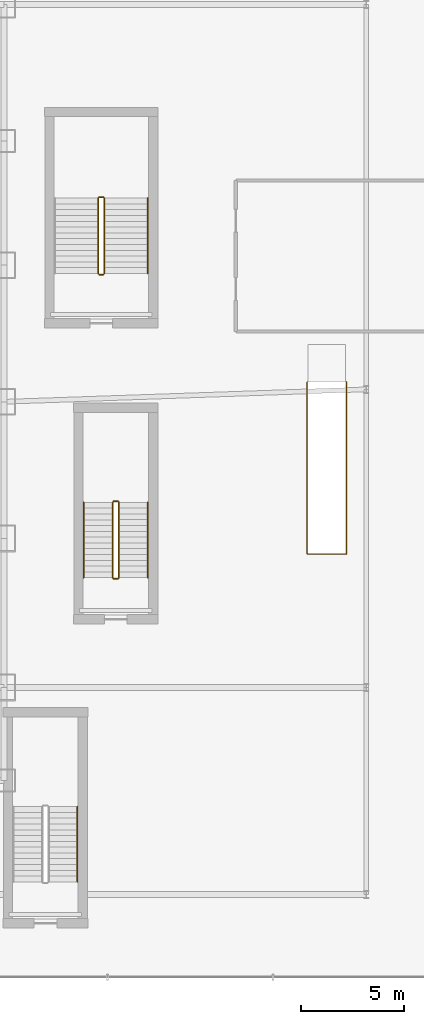
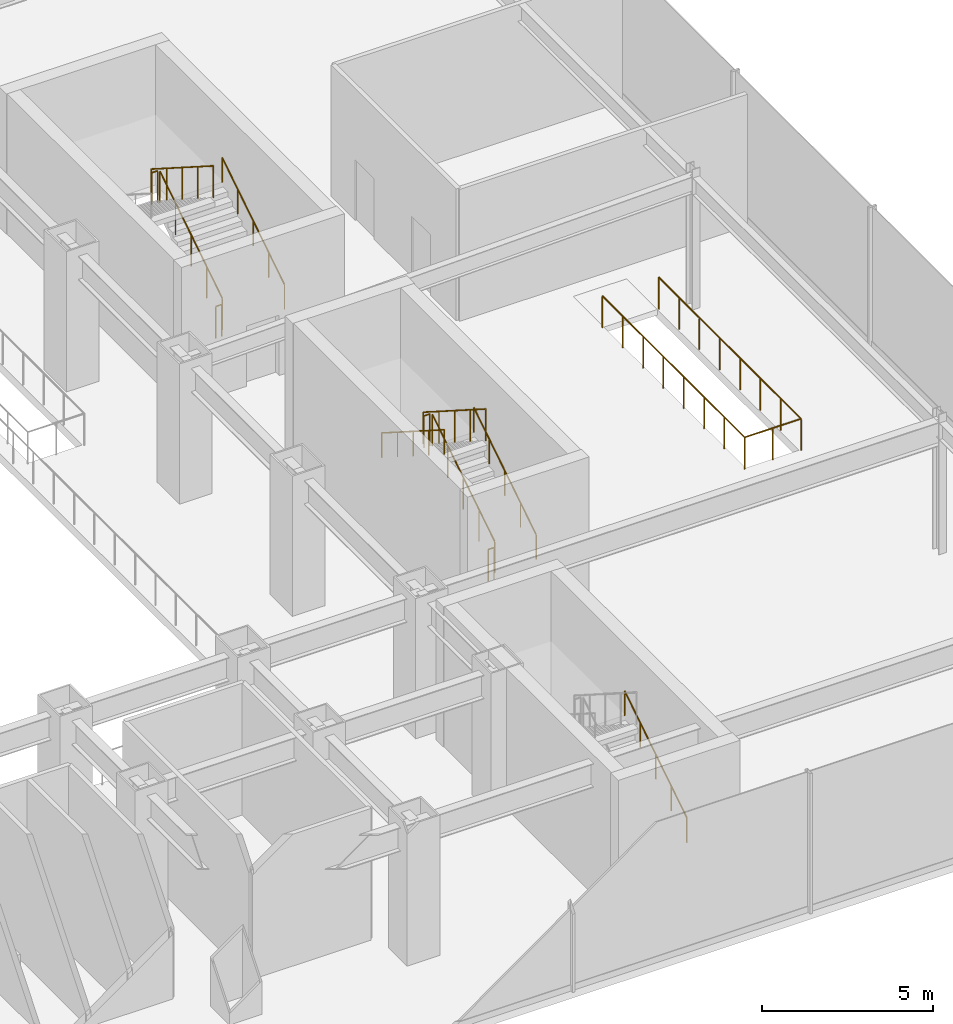
# One storey, part 38 of 39: 13 railings.
"""IFC4 building model written with IfcOpenShell, lengths in metres."""

from ifc_helpers import new_model, si_unit, derived_unit, direction, frame, origin, origin_2d, place, context, subcontext, project, spatial, circle, extrude, material, type_object, element, save


model = new_model("IFC4")

# Units and contexts
model_context = context("Model", 3, precision=1e-05, world=origin(), true_north=direction((0.0, 1.0)))
body_context = subcontext(model_context, "Body", "Model", "MODEL_VIEW")
ifc_project = project(units=[si_unit("LENGTHUNIT", "METRE"), si_unit("AREAUNIT", "SQUARE_METRE"), si_unit("VOLUMEUNIT", "CUBIC_METRE"), si_unit("PLANEANGLEUNIT", "RADIAN"), si_unit("MASSUNIT", "GRAM", prefix="KILO"), derived_unit("THERMALTRANSMITTANCEUNIT", [(si_unit("POWERUNIT", "WATT"), 1), (si_unit("LENGTHUNIT", "METRE"), -2), (si_unit("THERMODYNAMICTEMPERATUREUNIT", "KELVIN"), -1)])], contexts=[model_context])

# Site, building, storey
site_placement = place(None, origin())
site = spatial("IfcSite", under=ifc_project, at=site_placement, CompositionType="ELEMENT")
building_placement = place(site_placement, origin())
building = spatial("IfcBuilding", under=site, at=building_placement, Name="Skarnbrae Concourse Arena and Tower", CompositionType="ELEMENT")
storey_placement = place(building_placement, frame((0.0, 0.0, 11.0)))
storey = spatial("IfcBuildingStorey", under=building, at=storey_placement, Name="L02", CompositionType="ELEMENT", Elevation=11.0)

# Railings
ifc_material = material(Name="Steel CSA G40.21 350W", Category="steel")
railing_type_1 = type_object("IfcRailingType", Name="RAIL-HANDRAIL-900", PredefinedType="HANDRAIL", material=ifc_material)
for number, where, name in (
    (1, (64.550048828125, 4.60009765625, 0.178466796875), "L02 ST-A1 stair handrail 1"),
    (2, (67.949951171875, 19.300048828125, 0.178466796875), "L02 ST-A2 stair handrail 1"),
):
    element("IfcRailing", number, at=place(storey_placement, frame(where)), inside=storey, type_object=railing_type_1, Name=name, PredefinedType="HANDRAIL", context=body_context, shape_type="SweptSolid", body=[
        extrude(circle(Radius=0.02392578125, at=origin_2d()), frame((0.0, 0.0, 0.8759765625), z_axis=(0.0, 0.843111507901, 0.53773877045), x_axis=(-1.0, 0.0, 0.0)), (0.0, 0.0, 1.0), 4.317138671875),
        extrude(circle(Radius=0.02099609375, at=origin_2d()), origin(), (0.0, 0.0, 1.0), 0.851806640625),
        extrude(circle(Radius=0.02099609375, at=origin_2d()), frame((0.0, 0.909912109375, 0.580322265625)), (0.0, 0.0, 1.0), 0.851806640625),
        extrude(circle(Radius=0.02099609375, at=origin_2d()), frame((0.0, 1.81982421875, 1.16064453125)), (0.0, 0.0, 1.0), 0.851806640625),
        extrude(circle(Radius=0.02099609375, at=origin_2d()), frame((0.0, 2.72998046875, 1.7412109375)), (0.0, 0.0, 1.0), 0.851806640625),
        extrude(circle(Radius=0.02099609375, at=origin_2d()), frame((0.0, 3.639892578125, 2.321533203125)), (0.0, 0.0, 1.0), 0.851806640625),
    ])
railing_1_placement = place(storey_placement, frame((64.85009765625, 22.93994140625, 2.678466796875)))
element("IfcRailing", 3, at=railing_1_placement, inside=storey, type_object=railing_type_1, Name="L02 ST-A2 stair handrail 2", PredefinedType="HANDRAIL", context=body_context, shape_type="SweptSolid", body=[
    extrude(circle(Radius=0.02392578125, at=origin_2d()), frame((0.0, 0.0, 0.8759765625), z_axis=(0.0, -0.843111507901, 0.53773877045), x_axis=(1.0, 0.0, 0.0)), (0.0, 0.0, 1.0), 4.317138671875),
    extrude(circle(Radius=0.02099609375, at=origin_2d()), origin(), (0.0, 0.0, 1.0), 0.851806640625),
    extrude(circle(Radius=0.02099609375, at=origin_2d()), frame((0.0, -0.909912109375, 0.580322265625)), (0.0, 0.0, 1.0), 0.851806640625),
    extrude(circle(Radius=0.02099609375, at=origin_2d()), frame((0.0, -1.81982421875, 1.16064453125)), (0.0, 0.0, 1.0), 0.851806640625),
    extrude(circle(Radius=0.02099609375, at=origin_2d()), frame((0.0, -2.72998046875, 1.7412109375)), (0.0, 0.0, 1.0), 0.851806640625),
    extrude(circle(Radius=0.02099609375, at=origin_2d()), frame((0.0, -3.639892578125, 2.321533203125)), (0.0, 0.0, 1.0), 0.851806640625),
])
railing_2_placement = place(storey_placement, frame((67.949951171875, 34.0, 0.178466796875)))
element("IfcRailing", 4, at=railing_2_placement, inside=storey, type_object=railing_type_1, Name="L02 ST-A4 stair handrail 1", PredefinedType="HANDRAIL", context=body_context, shape_type="SweptSolid", body=[
    extrude(circle(Radius=0.02392578125, at=origin_2d()), frame((0.0, 0.0, 0.8759765625), z_axis=(0.0, 0.843111507901, 0.53773877045), x_axis=(-1.0, 0.0, 0.0)), (0.0, 0.0, 1.0), 4.317138671875),
    extrude(circle(Radius=0.02099609375, at=origin_2d()), origin(), (0.0, 0.0, 1.0), 0.851806640625),
    extrude(circle(Radius=0.02099609375, at=origin_2d()), frame((0.0, 0.909912109375, 0.580322265625)), (0.0, 0.0, 1.0), 0.851806640625),
    extrude(circle(Radius=0.02099609375, at=origin_2d()), frame((0.0, 1.81982421875, 1.16064453125)), (0.0, 0.0, 1.0), 0.851806640625),
    extrude(circle(Radius=0.02099609375, at=origin_2d()), frame((0.0, 2.72998046875, 1.7412109375)), (0.0, 0.0, 1.0), 0.851806640625),
    extrude(circle(Radius=0.02099609375, at=origin_2d()), frame((0.0, 3.639892578125, 2.321533203125)), (0.0, 0.0, 1.0), 0.851806640625),
])
railing_type_2 = type_object("IfcRailingType", Name="RAIL-STAIR-GUARD-1150", PredefinedType="GUARDRAIL", material=ifc_material)
railing_3_placement = place(storey_placement, frame((66.550048828125, 19.300048828125, 0.178466796875)))
element("IfcRailing", 5, at=railing_3_placement, inside=storey, type_object=railing_type_2, Name="L02 ST-A2 stair guard 1", PredefinedType="GUARDRAIL", context=body_context, shape_type="SweptSolid", body=[
    extrude(circle(Radius=0.02392578125, at=origin_2d()), frame((0.0, 0.0, 1.1259765625), z_axis=(0.0, 0.843111507901, 0.53773877045), x_axis=(-1.0, 0.0, 0.0)), (0.0, 0.0, 1.0), 4.317138671875),
    extrude(circle(Radius=0.02099609375, at=origin_2d()), origin(), (0.0, 0.0, 1.0), 1.101806640625),
    extrude(circle(Radius=0.02099609375, at=origin_2d()), frame((0.0, 0.909912109375, 0.580322265625)), (0.0, 0.0, 1.0), 1.101806640625),
    extrude(circle(Radius=0.02099609375, at=origin_2d()), frame((0.0, 1.81982421875, 1.16064453125)), (0.0, 0.0, 1.0), 1.101806640625),
    extrude(circle(Radius=0.02099609375, at=origin_2d()), frame((0.0, 2.72998046875, 1.7412109375)), (0.0, 0.0, 1.0), 1.101806640625),
    extrude(circle(Radius=0.02099609375, at=origin_2d()), frame((0.0, 3.639892578125, 2.321533203125)), (0.0, 0.0, 1.0), 1.101806640625),
])
railing_4_placement = place(storey_placement, frame((66.5, 22.989990234375, 2.5)))
element("IfcRailing", 6, at=railing_4_placement, inside=storey, type_object=railing_type_2, Name="L02 ST-A2 stair guard 2", PredefinedType="GUARDRAIL", context=body_context, shape_type="SweptSolid", body=[
    extrude(circle(Radius=0.02392578125, at=origin_2d()), frame((0.0, 0.0, 1.1259765625), z_axis=(-1.0, 0.0, 0.0), x_axis=(0.0, -1.0, 0.0)), (0.0, 0.0, 1.0), 0.199951171875),
    extrude(circle(Radius=0.02099609375, at=origin_2d()), origin(), (0.0, 0.0, 1.0), 1.101806640625),
    extrude(circle(Radius=0.02099609375, at=origin_2d()), frame((-0.199951171875, 0.0, 0.0)), (0.0, 0.0, 1.0), 1.101806640625),
])
railing_5_placement = place(storey_placement, frame((66.25, 22.93994140625, 2.678466796875)))
element("IfcRailing", 7, at=railing_5_placement, inside=storey, type_object=railing_type_2, Name="L02 ST-A2 stair guard 3", PredefinedType="GUARDRAIL", context=body_context, shape_type="SweptSolid", body=[
    extrude(circle(Radius=0.02392578125, at=origin_2d()), frame((0.0, 0.0, 1.1259765625), z_axis=(0.0, -0.843111507901, 0.53773877045), x_axis=(1.0, 0.0, 0.0)), (0.0, 0.0, 1.0), 4.317138671875),
    extrude(circle(Radius=0.02099609375, at=origin_2d()), origin(), (0.0, 0.0, 1.0), 1.101806640625),
    extrude(circle(Radius=0.02099609375, at=origin_2d()), frame((0.0, -0.909912109375, 0.580322265625)), (0.0, 0.0, 1.0), 1.101806640625),
    extrude(circle(Radius=0.02099609375, at=origin_2d()), frame((0.0, -1.81982421875, 1.16064453125)), (0.0, 0.0, 1.0), 1.101806640625),
    extrude(circle(Radius=0.02099609375, at=origin_2d()), frame((0.0, -2.72998046875, 1.7412109375)), (0.0, 0.0, 1.0), 1.101806640625),
    extrude(circle(Radius=0.02099609375, at=origin_2d()), frame((0.0, -3.639892578125, 2.321533203125)), (0.0, 0.0, 1.0), 1.101806640625),
])
railing_6_placement = place(storey_placement, frame((66.5, 19.25, 0.0)))
element("IfcRailing", 8, at=railing_6_placement, inside=storey, type_object=railing_type_2, Name="L02 ST-A2 stair guard 4", PredefinedType="GUARDRAIL", context=body_context, shape_type="SweptSolid", body=[
    extrude(circle(Radius=0.02392578125, at=origin_2d()), frame((0.0, 0.0, 1.1259765625), z_axis=(-1.0, 0.0, 0.0), x_axis=(0.0, -1.0, 0.0)), (0.0, 0.0, 1.0), 0.199951171875),
    extrude(circle(Radius=0.02099609375, at=origin_2d()), origin(), (0.0, 0.0, 1.0), 1.101806640625),
    extrude(circle(Radius=0.02099609375, at=origin_2d()), frame((-0.199951171875, 0.0, 0.0)), (0.0, 0.0, 1.0), 1.101806640625),
])
railing_7_placement = place(storey_placement, frame((65.85009765625, 34.0, 0.178466796875)))
element("IfcRailing", 9, at=railing_7_placement, inside=storey, type_object=railing_type_2, Name="L02 ST-A4 stair guard 1", PredefinedType="GUARDRAIL", context=body_context, shape_type="SweptSolid", body=[
    extrude(circle(Radius=0.02392578125, at=origin_2d()), frame((0.0, 0.0, 1.1259765625), z_axis=(0.0, 0.843111507901, 0.53773877045), x_axis=(-1.0, 0.0, 0.0)), (0.0, 0.0, 1.0), 4.317138671875),
    extrude(circle(Radius=0.02099609375, at=origin_2d()), origin(), (0.0, 0.0, 1.0), 1.101806640625),
    extrude(circle(Radius=0.02099609375, at=origin_2d()), frame((0.0, 0.909912109375, 0.580322265625)), (0.0, 0.0, 1.0), 1.101806640625),
    extrude(circle(Radius=0.02099609375, at=origin_2d()), frame((0.0, 1.81982421875, 1.16064453125)), (0.0, 0.0, 1.0), 1.101806640625),
    extrude(circle(Radius=0.02099609375, at=origin_2d()), frame((0.0, 2.72998046875, 1.7412109375)), (0.0, 0.0, 1.0), 1.101806640625),
    extrude(circle(Radius=0.02099609375, at=origin_2d()), frame((0.0, 3.639892578125, 2.321533203125)), (0.0, 0.0, 1.0), 1.101806640625),
])
railing_8_placement = place(storey_placement, frame((65.800048828125, 37.68994140625, 2.5)))
element("IfcRailing", 10, at=railing_8_placement, inside=storey, type_object=railing_type_2, Name="L02 ST-A4 stair guard 2", PredefinedType="GUARDRAIL", context=body_context, shape_type="SweptSolid", body=[
    extrude(circle(Radius=0.02392578125, at=origin_2d()), frame((0.0, 0.0, 1.1259765625), z_axis=(-1.0, 0.0, 0.0), x_axis=(0.0, -1.0, 0.0)), (0.0, 0.0, 1.0), 0.199951171875),
    extrude(circle(Radius=0.02099609375, at=origin_2d()), origin(), (0.0, 0.0, 1.0), 1.101806640625),
    extrude(circle(Radius=0.02099609375, at=origin_2d()), frame((-0.199951171875, 0.0, 0.0)), (0.0, 0.0, 1.0), 1.101806640625),
])
railing_9_placement = place(storey_placement, frame((65.550048828125, 37.639892578125, 2.678466796875)))
element("IfcRailing", 11, at=railing_9_placement, inside=storey, type_object=railing_type_2, Name="L02 ST-A4 stair guard 3", PredefinedType="GUARDRAIL", context=body_context, shape_type="SweptSolid", body=[
    extrude(circle(Radius=0.02392578125, at=origin_2d()), frame((0.0, 0.0, 1.1259765625), z_axis=(0.0, -0.843111507901, 0.53773877045), x_axis=(1.0, 0.0, 0.0)), (0.0, 0.0, 1.0), 4.317138671875),
    extrude(circle(Radius=0.02099609375, at=origin_2d()), origin(), (0.0, 0.0, 1.0), 1.101806640625),
    extrude(circle(Radius=0.02099609375, at=origin_2d()), frame((0.0, -0.909912109375, 0.580322265625)), (0.0, 0.0, 1.0), 1.101806640625),
    extrude(circle(Radius=0.02099609375, at=origin_2d()), frame((0.0, -1.81982421875, 1.16064453125)), (0.0, 0.0, 1.0), 1.101806640625),
    extrude(circle(Radius=0.02099609375, at=origin_2d()), frame((0.0, -2.72998046875, 1.7412109375)), (0.0, 0.0, 1.0), 1.101806640625),
    extrude(circle(Radius=0.02099609375, at=origin_2d()), frame((0.0, -3.639892578125, 2.321533203125)), (0.0, 0.0, 1.0), 1.101806640625),
])
railing_10_placement = place(storey_placement, frame((65.800048828125, 33.949951171875, 0.0)))
element("IfcRailing", 12, at=railing_10_placement, inside=storey, type_object=railing_type_2, Name="L02 ST-A4 stair guard 4", PredefinedType="GUARDRAIL", context=body_context, shape_type="SweptSolid", body=[
    extrude(circle(Radius=0.02392578125, at=origin_2d()), frame((0.0, 0.0, 1.1259765625), z_axis=(-1.0, 0.0, 0.0), x_axis=(0.0, -1.0, 0.0)), (0.0, 0.0, 1.0), 0.199951171875),
    extrude(circle(Radius=0.02099609375, at=origin_2d()), origin(), (0.0, 0.0, 1.0), 1.101806640625),
    extrude(circle(Radius=0.02099609375, at=origin_2d()), frame((-0.199951171875, 0.0, 0.0)), (0.0, 0.0, 1.0), 1.101806640625),
])
railing_11_placement = place(storey_placement, frame((77.550048828125, 28.760009765625, 0.0)))
element("IfcRailing", 13, at=railing_11_placement, inside=storey, type_object=railing_type_2, Name="ST-CONC-1 Upper well guardrail L02", PredefinedType="GUARDRAIL", context=body_context, shape_type="SweptSolid", body=[
    extrude(circle(Radius=0.02392578125, at=origin_2d()), frame((0.0, 0.0, 1.1259765625), z_axis=(0.0, -1.0, 0.0), x_axis=(1.0, 0.0, 0.0)), (0.0, 0.0, 1.0), 8.31005859375),
    extrude(circle(Radius=0.02392578125, at=origin_2d()), frame((0.0, -8.31005859375, 1.1259765625), z_axis=(-1.0, 0.0, 0.0), x_axis=(0.0, -1.0, 0.0)), (0.0, 0.0, 1.0), 1.900146484375),
    extrude(circle(Radius=0.02392578125, at=origin_2d()), frame((-1.900146484375, -8.31005859375, 1.1259765625), z_axis=(0.0, 1.0, 0.0), x_axis=(-1.0, 0.0, 0.0)), (0.0, 0.0, 1.0), 8.31005859375),
    extrude(circle(Radius=0.02099609375, at=origin_2d()), origin(), (0.0, 0.0, 1.0), 1.101806640625),
    extrude(circle(Radius=0.02099609375, at=origin_2d()), frame((0.0, -1.187255859375, 0.0)), (0.0, 0.0, 1.0), 1.101806640625),
    extrude(circle(Radius=0.02099609375, at=origin_2d()), frame((0.0, -2.374267578125, 0.0)), (0.0, 0.0, 1.0), 1.101806640625),
    extrude(circle(Radius=0.02099609375, at=origin_2d()), frame((0.0, -3.5615234375, 0.0)), (0.0, 0.0, 1.0), 1.101806640625),
    extrude(circle(Radius=0.02099609375, at=origin_2d()), frame((0.0, -4.74853515625, 0.0)), (0.0, 0.0, 1.0), 1.101806640625),
    extrude(circle(Radius=0.02099609375, at=origin_2d()), frame((0.0, -5.935791015625, 0.0)), (0.0, 0.0, 1.0), 1.101806640625),
    extrude(circle(Radius=0.02099609375, at=origin_2d()), frame((0.0, -7.122802734375, 0.0)), (0.0, 0.0, 1.0), 1.101806640625),
    extrude(circle(Radius=0.02099609375, at=origin_2d()), frame((0.0, -8.31005859375, 0.0)), (0.0, 0.0, 1.0), 1.101806640625),
    extrude(circle(Radius=0.02099609375, at=origin_2d()), frame((-0.9501953125, -8.31005859375, 0.0)), (0.0, 0.0, 1.0), 1.101806640625),
    extrude(circle(Radius=0.02099609375, at=origin_2d()), frame((-1.900146484375, -8.31005859375, 0.0)), (0.0, 0.0, 1.0), 1.101806640625),
    extrude(circle(Radius=0.02099609375, at=origin_2d()), frame((-1.900146484375, -7.122802734375, 0.0)), (0.0, 0.0, 1.0), 1.101806640625),
    extrude(circle(Radius=0.02099609375, at=origin_2d()), frame((-1.900146484375, -5.935791015625, 0.0)), (0.0, 0.0, 1.0), 1.101806640625),
    extrude(circle(Radius=0.02099609375, at=origin_2d()), frame((-1.900146484375, -4.74853515625, 0.0)), (0.0, 0.0, 1.0), 1.101806640625),
    extrude(circle(Radius=0.02099609375, at=origin_2d()), frame((-1.900146484375, -3.5615234375, 0.0)), (0.0, 0.0, 1.0), 1.101806640625),
    extrude(circle(Radius=0.02099609375, at=origin_2d()), frame((-1.900146484375, -2.374267578125, 0.0)), (0.0, 0.0, 1.0), 1.101806640625),
    extrude(circle(Radius=0.02099609375, at=origin_2d()), frame((-1.900146484375, -1.187255859375, 0.0)), (0.0, 0.0, 1.0), 1.101806640625),
    extrude(circle(Radius=0.02099609375, at=origin_2d()), frame((-1.900146484375, 0.0, 0.0)), (0.0, 0.0, 1.0), 1.101806640625),
])

save(model, "model.ifc")
